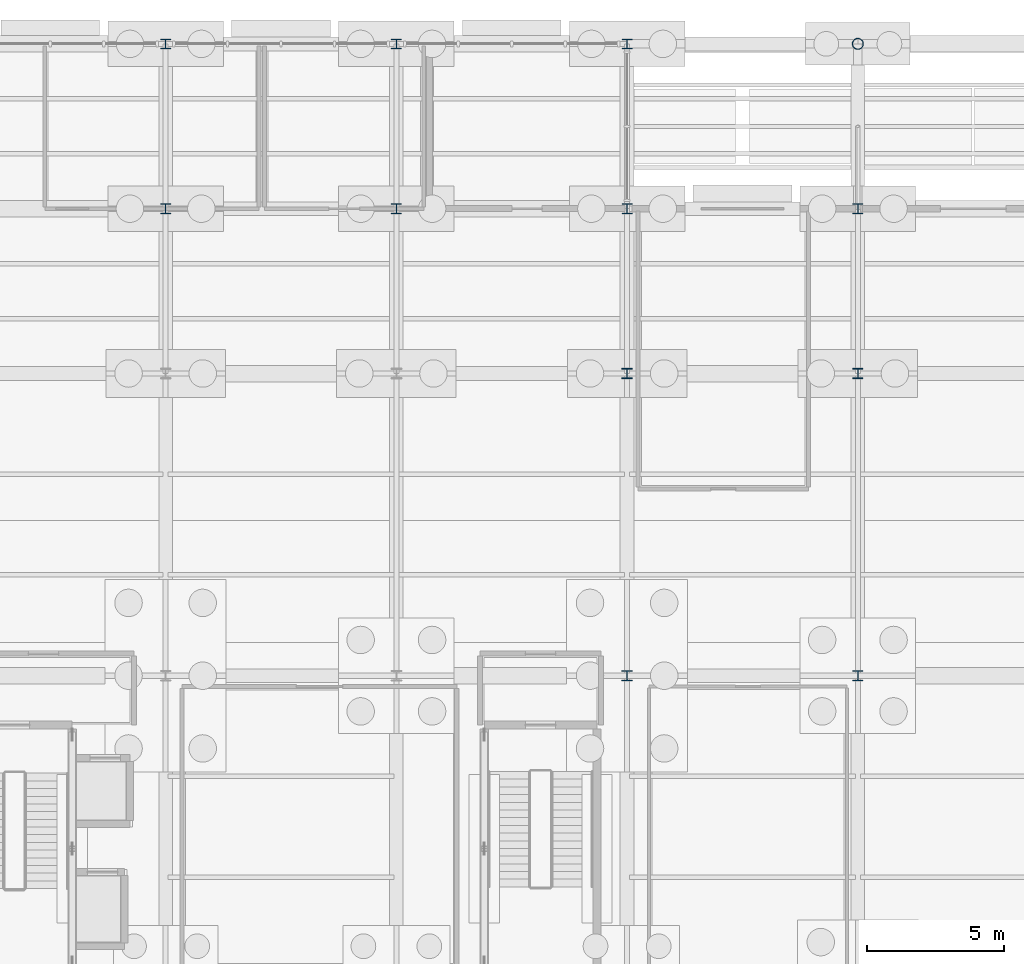
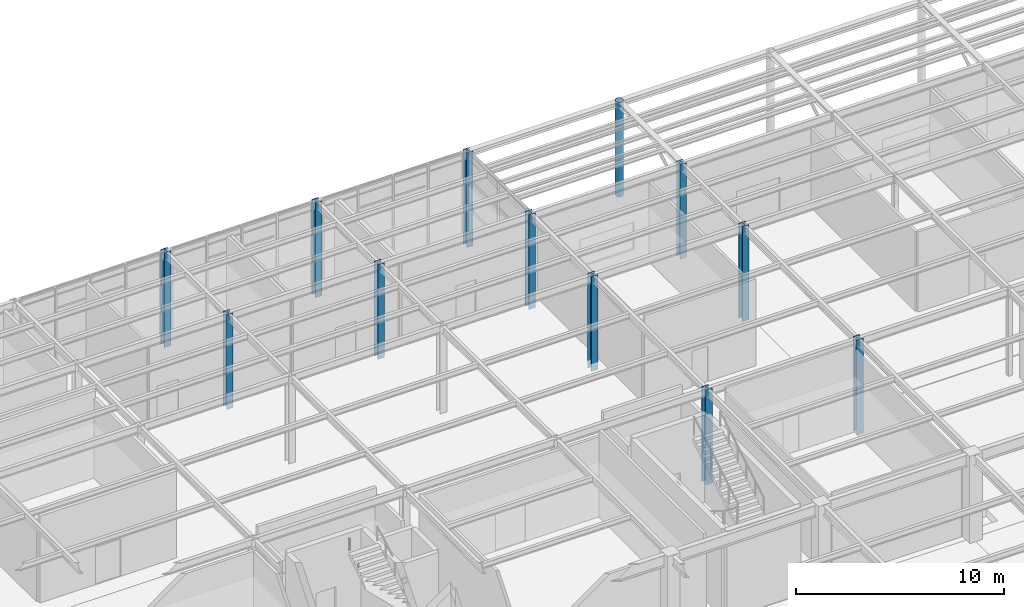
# One storey, part 26 of 129: 12 columns.
"""IFC4 building model written with IfcOpenShell, lengths in metres."""

from ifc_helpers import new_model, si_unit, direction, frame, origin, origin_2d, place, context, subcontext, project, spatial, hollow_circle, i_section, extrude, material, material_profile, profile_set, type_object, element, save


model = new_model("IFC4")

# Units and contexts
model_context = context("Model", 3, precision=1e-05, world=origin(), true_north=direction((0.0, 1.0)))
body_context = subcontext(model_context, "Body", "Model", "MODEL_VIEW")
ifc_project = project(units=[si_unit("LENGTHUNIT", "METRE"), si_unit("AREAUNIT", "SQUARE_METRE"), si_unit("VOLUMEUNIT", "CUBIC_METRE"), si_unit("PLANEANGLEUNIT", "RADIAN"), si_unit("MASSUNIT", "GRAM", prefix="KILO")], contexts=[model_context])

# Site, building, storey
site_placement = place(None, origin())
site = spatial("IfcSite", under=ifc_project, at=site_placement, CompositionType="ELEMENT")
building_placement = place(site_placement, origin())
building = spatial("IfcBuilding", under=site, at=building_placement, Name="Sitalva Quay Ferry Terminal", CompositionType="ELEMENT")
storey_placement = place(building_placement, origin())
storey = spatial("IfcBuildingStorey", under=building, at=storey_placement, Name="L01", CompositionType="ELEMENT", Elevation=0.0)

# Columns
ifc_material_1 = material(Name="Structural Steel S355JR", Category="steel")
ifc_material_profile_1 = material_profile(ifc_material_1, hollow_circle(Radius=0.203125, WallThickness=0.01611328125, at=origin_2d()), Name="CHS406x16")
ifc_profile_set_1 = profile_set([ifc_material_profile_1], Name="Structural Steel S355JR")
column_type_1 = type_object("IfcColumnType", Name="Col_CHS406x16", PredefinedType="COLUMN", material=ifc_profile_set_1)
column_placement = place(storey_placement, frame((126.0, 112.0, -0.449951171875), z_axis=(0.0, 0.0, 1.0), x_axis=(1.0, 0.0, 0.0)))
element("IfcColumn", 1, at=column_placement, inside=storey, type_object=column_type_1, Name="L01 column 16N", PredefinedType="COLUMN", context=body_context, shape_type="SweptSolid", body=[
    extrude(hollow_circle(Radius=0.203125, WallThickness=0.01611328125, at=origin_2d()), origin(), (0.0, 0.0, 1.0), 5.570068359375),
])
ifc_material_2 = material(Name="Structural Steel S355JR", Category="steel")
ifc_material_profile_2 = material_profile(ifc_material_2, i_section(OverallWidth=0.368896484375, OverallDepth=0.35595703125, WebThickness=0.01123046875, FlangeThickness=0.01806640625, FilletRadius=0.014892578125, at=origin_2d()), Name="W360x134")
ifc_profile_set_2 = profile_set([ifc_material_profile_2], Name="Structural Steel S355JR")
column_type_2 = type_object("IfcColumnType", Name="Col_W360x134", PredefinedType="COLUMN", material=ifc_profile_set_2)
for number, where, z_axis, x_axis, name in (
    (2, (100.800048828125, 106.0, -0.449951171875), (0.0, 0.0, 1.0), (1.0, 0.0, 0.0), "L01 column 13M"),
    (3, (109.199951171875, 106.0, -0.449951171875), (0.0, 0.0, 1.0), (1.0, 0.0, 0.0), "L01 column 14M"),
    (4, (117.60009765625, 106.0, -0.449951171875), (0.0, 0.0, 1.0), (1.0, 0.0, 0.0), "L01 column 15M"),
    (5, (126.0, 106.0, -0.449951171875), (0.0, 0.0, 1.0), (1.0, 0.0, 0.0), "L01 column 16M"),
    (6, (100.800048828125, 112.0, -0.449951171875), (0.0, 0.0, 1.0), (1.0, 0.0, 0.0), "L01 column 13N"),
    (7, (109.199951171875, 112.0, -0.449951171875), (0.0, 0.0, 1.0), (1.0, 0.0, 0.0), "L01 column 14N"),
    (8, (117.60009765625, 112.0, -0.449951171875), (0.0, 0.0, 1.0), (1.0, 0.0, 0.0), "L01 column 15N"),
):
    element("IfcColumn", number, at=place(storey_placement, frame(where, z_axis=z_axis, x_axis=x_axis)), inside=storey, type_object=column_type_2, Name=name, PredefinedType="COLUMN", context=body_context, shape_type="SweptSolid", body=[
        extrude(i_section(OverallWidth=0.368896484375, OverallDepth=0.35595703125, WebThickness=0.01123046875, FlangeThickness=0.01806640625, FilletRadius=0.014892578125, at=origin_2d()), origin(), (0.0, 0.0, 1.0), 5.570068359375),
    ])
ifc_material_3 = material(Name="Structural Steel S355JR", Category="steel")
ifc_material_profile_3 = material_profile(ifc_material_3, i_section(OverallWidth=0.3740234375, OverallDepth=0.3720703125, WebThickness=0.016357421875, FlangeThickness=0.026123046875, FilletRadius=0.01611328125, at=origin_2d()), Name="W360x196")
ifc_profile_set_3 = profile_set([ifc_material_profile_3], Name="Structural Steel S355JR")
column_type_3 = type_object("IfcColumnType", Name="Col_W360x196", PredefinedType="COLUMN", material=ifc_profile_set_3)
for number, where, z_axis, x_axis, name in (
    (9, (117.60009765625, 89.0, -0.449951171875), (0.0, 0.0, 1.0), (1.0, 0.0, 0.0), "L01 column 15K"),
    (10, (126.0, 89.0, -0.449951171875), (0.0, 0.0, 1.0), (1.0, 0.0, 0.0), "L01 column 16K"),
    (11, (117.60009765625, 100.0, -0.449951171875), (0.0, 0.0, 1.0), (1.0, 0.0, 0.0), "L01 column 15L"),
    (12, (126.0, 100.0, -0.449951171875), (0.0, 0.0, 1.0), (1.0, 0.0, 0.0), "L01 column 16L"),
):
    element("IfcColumn", number, at=place(storey_placement, frame(where, z_axis=z_axis, x_axis=x_axis)), inside=storey, type_object=column_type_3, Name=name, PredefinedType="COLUMN", context=body_context, shape_type="SweptSolid", body=[
        extrude(i_section(OverallWidth=0.3740234375, OverallDepth=0.3720703125, WebThickness=0.016357421875, FlangeThickness=0.026123046875, FilletRadius=0.01611328125, at=origin_2d()), origin(), (0.0, 0.0, 1.0), 5.570068359375),
    ])

save(model, "model.ifc")
